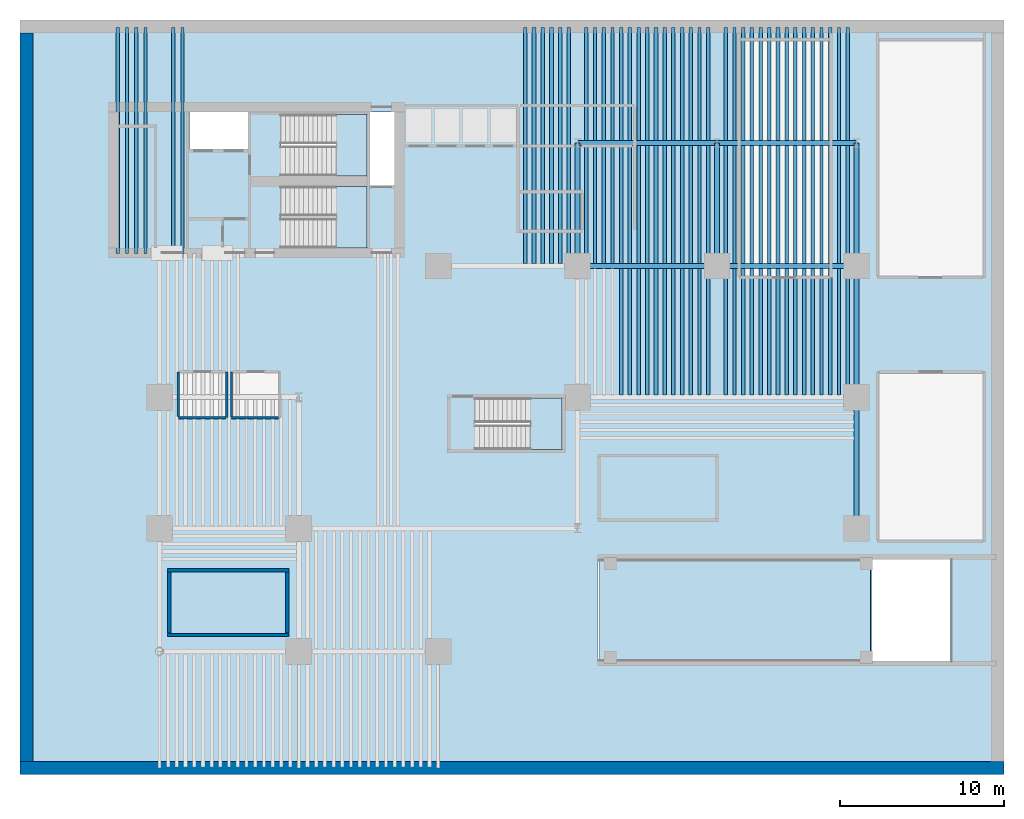
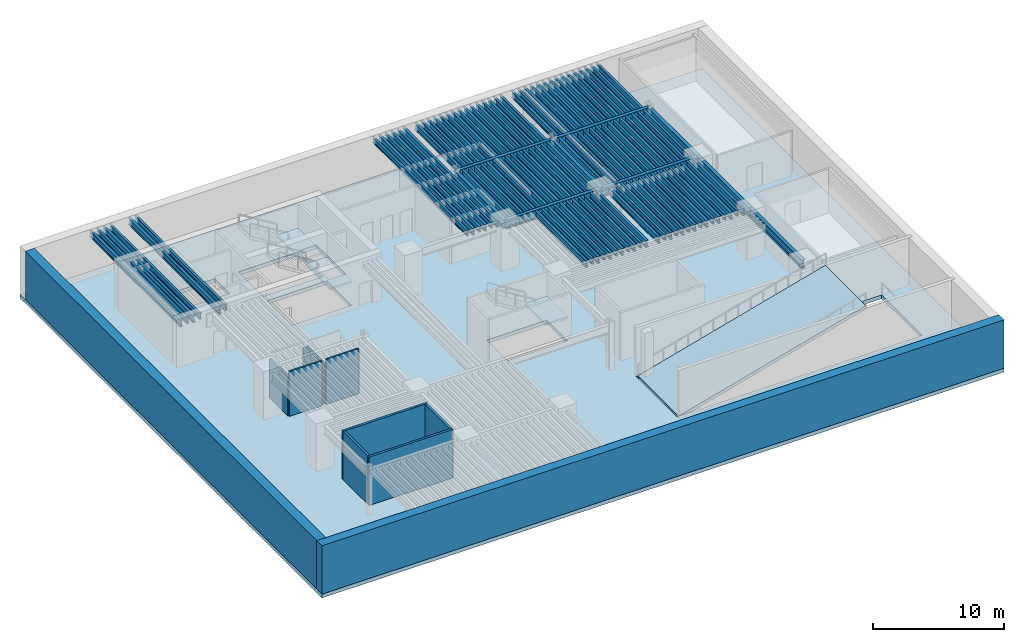
# One storey, part 2 of 10: 107 beams, 11 walls, 5 slabs, 3 elements without a shape of their own.
"""IFC4 building model written with IfcOpenShell, lengths in metres."""

from ifc_helpers import new_model, si_unit, direction, frame, frame_2d, origin, origin_2d, place, context, subcontext, project, spatial, polyline, rectangle, i_section, outline, extrude, material, layer, layer_set, material_profile, profile_set, type_object, element, aggregate, save


model = new_model("IFC4")

# Units and contexts
model_context = context("Model", 3, precision=1e-05, world=origin(), true_north=direction((0.0, 1.0)))
body_context = subcontext(model_context, "Body", "Model", "MODEL_VIEW")
ifc_project = project(units=[si_unit("LENGTHUNIT", "METRE"), si_unit("AREAUNIT", "SQUARE_METRE"), si_unit("VOLUMEUNIT", "CUBIC_METRE"), si_unit("PLANEANGLEUNIT", "RADIAN"), si_unit("MASSUNIT", "GRAM", prefix="KILO")], contexts=[model_context])

# Site, building, storey
site_placement = place(None, origin())
site = spatial("IfcSite", under=ifc_project, at=site_placement, CompositionType="ELEMENT")
building_placement = place(site_placement, origin())
building = spatial("IfcBuilding", under=site, at=building_placement, Name="Caeloran Harvest Quay", CompositionType="ELEMENT")
storey_placement = place(building_placement, frame((0.0, 0.0, -4.5)))
storey = spatial("IfcBuildingStorey", under=building, at=storey_placement, Name="B01", CompositionType="ELEMENT", Elevation=-4.5)

# Beams
ifc_material_1 = material(Name="Steel S355J2", Category="steel")
ifc_material_profile_1 = material_profile(ifc_material_1, i_section(OverallWidth=0.300048828125, OverallDepth=0.800048828125, WebThickness=0.017578125, FlangeThickness=0.032958984375, FilletRadius=0.030029296875, at=origin_2d()), Name="HE 800 B")
ifc_profile_set_1 = profile_set([ifc_material_profile_1], Name="Steel S355J2")
beam_type_1 = type_object("IfcBeamType", Name="BM-PG-1-HE_800_B", PredefinedType="BEAM", material=ifc_profile_set_1)
for number, where, z_axis, x_axis, name in (
    (1, (34.0, 31.0, 3.764892578125), (1.0, 0.0, 0.0), (0.0, 1.0, 0.0), "B01 Primary East-West Girder Y=31.0"),
    (2, (42.5, 31.0, 3.764892578125), (1.0, 0.0, 0.0), (0.0, 1.0, 0.0), "B01 Primary East-West Girder Y=31.0"),
    (3, (34.0, 38.5, 3.764892578125), (1.0, 0.0, 0.0), (0.0, 1.0, 0.0), "B01 Primary East-West Girder Y=38.5"),
    (4, (42.5, 38.5, 3.764892578125), (1.0, 0.0, 0.0), (0.0, 1.0, 0.0), "B01 Primary East-West Girder Y=38.5"),
):
    element("IfcBeam", number, at=place(storey_placement, frame(where, z_axis=z_axis, x_axis=x_axis)), inside=storey, type_object=beam_type_1, Name=name, PredefinedType="BEAM", context=body_context, shape_type="SweptSolid", body=[
        extrude(i_section(OverallWidth=0.300048828125, OverallDepth=0.800048828125, WebThickness=0.017578125, FlangeThickness=0.032958984375, FilletRadius=0.030029296875, at=origin_2d()), origin(), (0.0, 0.0, 1.0), 8.5),
    ])
for number, where, z_axis, x_axis, name in (
    (5, (34.0, 31.0, 3.764892578125), (0.0, 1.0, 0.0), (-1.0, 0.0, 0.0), "B01 Primary North-South Girder X=34.0"),
    (6, (42.5, 31.0, 3.764892578125), (0.0, 1.0, 0.0), (-1.0, 0.0, 0.0), "B01 Primary North-South Girder X=42.5"),
):
    element("IfcBeam", number, at=place(storey_placement, frame(where, z_axis=z_axis, x_axis=x_axis)), inside=storey, type_object=beam_type_1, Name=name, PredefinedType="BEAM", context=body_context, shape_type="SweptSolid", body=[
        extrude(i_section(OverallWidth=0.300048828125, OverallDepth=0.800048828125, WebThickness=0.017578125, FlangeThickness=0.032958984375, FilletRadius=0.030029296875, at=origin_2d()), origin(), (0.0, 0.0, 1.0), 7.5),
    ])
for number, where, z_axis, x_axis, name in (
    (7, (51.0, 15.0, 3.764892578125), (0.0, 1.0, 0.0), (-1.0, 0.0, 0.0), "B01 Primary North-South Girder X=51.0"),
    (8, (51.0, 23.0, 3.764892578125), (0.0, 1.0, 0.0), (-1.0, 0.0, 0.0), "B01 Primary North-South Girder X=51.0"),
):
    element("IfcBeam", number, at=place(storey_placement, frame(where, z_axis=z_axis, x_axis=x_axis)), inside=storey, type_object=beam_type_1, Name=name, PredefinedType="BEAM", context=body_context, shape_type="SweptSolid", body=[
        extrude(i_section(OverallWidth=0.300048828125, OverallDepth=0.800048828125, WebThickness=0.017578125, FlangeThickness=0.032958984375, FilletRadius=0.030029296875, at=origin_2d()), origin(), (0.0, 0.0, 1.0), 8.0),
    ])
beam_placement = place(storey_placement, frame((51.0, 31.0, 3.764892578125), z_axis=(0.0, 1.0, 0.0), x_axis=(-1.0, 0.0, 0.0)))
element("IfcBeam", 9, at=beam_placement, inside=storey, type_object=beam_type_1, Name="B01 Primary North-South Girder X=51.0", PredefinedType="BEAM", context=body_context, shape_type="SweptSolid", body=[
    extrude(i_section(OverallWidth=0.300048828125, OverallDepth=0.800048828125, WebThickness=0.017578125, FlangeThickness=0.032958984375, FilletRadius=0.030029296875, at=origin_2d()), origin(), (0.0, 0.0, 1.0), 7.5),
])
ifc_material_profile_2 = material_profile(ifc_material_1, i_section(OverallWidth=0.219970703125, OverallDepth=0.60009765625, WebThickness=0.011962890625, FlangeThickness=0.01904296875, FilletRadius=0.02392578125, at=origin_2d()), Name="IPE 600")
ifc_profile_set_2 = profile_set([ifc_material_profile_2], Name="Steel S355J2")
beam_type_2 = type_object("IfcBeamType", Name="BM-SB-1-IPE_600", PredefinedType="JOIST", material=ifc_profile_set_2)
for number, where, z_axis, x_axis, name in (
    (10, (34.53125, 38.64501953125, 3.864990234375), (0.0, 1.0, 0.0), (-1.0, 0.0, 0.0), "B01 Secondary Composite Joist"),
    (11, (35.59375, 38.64501953125, 3.864990234375), (0.0, 1.0, 0.0), (-1.0, 0.0, 0.0), "B01 Secondary Composite Joist"),
    (12, (36.65625, 38.64501953125, 3.864990234375), (0.0, 1.0, 0.0), (-1.0, 0.0, 0.0), "B01 Secondary Composite Joist"),
    (13, (37.71875, 38.64501953125, 3.864990234375), (0.0, 1.0, 0.0), (-1.0, 0.0, 0.0), "B01 Secondary Composite Joist"),
    (14, (38.78125, 38.64501953125, 3.864990234375), (0.0, 1.0, 0.0), (-1.0, 0.0, 0.0), "B01 Secondary Composite Joist"),
    (15, (39.84375, 38.64501953125, 3.864990234375), (0.0, 1.0, 0.0), (-1.0, 0.0, 0.0), "B01 Secondary Composite Joist"),
    (16, (40.90625, 38.64501953125, 3.864990234375), (0.0, 1.0, 0.0), (-1.0, 0.0, 0.0), "B01 Secondary Composite Joist"),
    (17, (41.96875, 38.64501953125, 3.864990234375), (0.0, 1.0, 0.0), (-1.0, 0.0, 0.0), "B01 Secondary Composite Joist"),
    (18, (43.03125, 38.64501953125, 3.864990234375), (0.0, 1.0, 0.0), (-1.0, 0.0, 0.0), "B01 Secondary Composite Joist"),
    (19, (44.09375, 38.64501953125, 3.864990234375), (0.0, 1.0, 0.0), (-1.0, 0.0, 0.0), "B01 Secondary Composite Joist"),
    (20, (45.15625, 38.64501953125, 3.864990234375), (0.0, 1.0, 0.0), (-1.0, 0.0, 0.0), "B01 Secondary Composite Joist"),
    (21, (46.21875, 38.64501953125, 3.864990234375), (0.0, 1.0, 0.0), (-1.0, 0.0, 0.0), "B01 Secondary Composite Joist"),
    (22, (47.28125, 38.64501953125, 3.864990234375), (0.0, 1.0, 0.0), (-1.0, 0.0, 0.0), "B01 Secondary Composite Joist"),
    (23, (48.34375, 38.64501953125, 3.864990234375), (0.0, 1.0, 0.0), (-1.0, 0.0, 0.0), "B01 Secondary Composite Joist"),
    (24, (49.40625, 38.64501953125, 3.864990234375), (0.0, 1.0, 0.0), (-1.0, 0.0, 0.0), "B01 Secondary Composite Joist"),
    (25, (50.46875, 38.64501953125, 3.864990234375), (0.0, 1.0, 0.0), (-1.0, 0.0, 0.0), "B01 Secondary Composite Joist"),
):
    element("IfcBeam", number, at=place(storey_placement, frame(where, z_axis=z_axis, x_axis=x_axis)), inside=storey, type_object=beam_type_2, Name=name, PredefinedType="JOIST", context=body_context, shape_type="SweptSolid", body=[
        extrude(i_section(OverallWidth=0.219970703125, OverallDepth=0.60009765625, WebThickness=0.011962890625, FlangeThickness=0.01904296875, FilletRadius=0.02392578125, at=origin_2d()), origin(), (0.0, 0.0, 1.0), 6.905029296875),
    ])
for number, where, z_axis, x_axis, name in (
    (26, (34.53125, 31.14501953125, 3.864990234375), (0.0, 1.0, 0.0), (-1.0, 0.0, 0.0), "B01 Secondary Composite Joist"),
    (27, (35.59375, 31.14501953125, 3.864990234375), (0.0, 1.0, 0.0), (-1.0, 0.0, 0.0), "B01 Secondary Composite Joist"),
    (28, (36.65625, 31.14501953125, 3.864990234375), (0.0, 1.0, 0.0), (-1.0, 0.0, 0.0), "B01 Secondary Composite Joist"),
    (29, (37.71875, 31.14501953125, 3.864990234375), (0.0, 1.0, 0.0), (-1.0, 0.0, 0.0), "B01 Secondary Composite Joist"),
    (30, (38.78125, 31.14501953125, 3.864990234375), (0.0, 1.0, 0.0), (-1.0, 0.0, 0.0), "B01 Secondary Composite Joist"),
    (31, (39.84375, 31.14501953125, 3.864990234375), (0.0, 1.0, 0.0), (-1.0, 0.0, 0.0), "B01 Secondary Composite Joist"),
    (32, (40.90625, 31.14501953125, 3.864990234375), (0.0, 1.0, 0.0), (-1.0, 0.0, 0.0), "B01 Secondary Composite Joist"),
    (33, (41.96875, 31.14501953125, 3.864990234375), (0.0, 1.0, 0.0), (-1.0, 0.0, 0.0), "B01 Secondary Composite Joist"),
    (34, (43.03125, 31.14501953125, 3.864990234375), (0.0, 1.0, 0.0), (-1.0, 0.0, 0.0), "B01 Secondary Composite Joist"),
    (35, (44.09375, 31.14501953125, 3.864990234375), (0.0, 1.0, 0.0), (-1.0, 0.0, 0.0), "B01 Secondary Composite Joist"),
    (36, (45.15625, 31.14501953125, 3.864990234375), (0.0, 1.0, 0.0), (-1.0, 0.0, 0.0), "B01 Secondary Composite Joist"),
    (37, (46.21875, 31.14501953125, 3.864990234375), (0.0, 1.0, 0.0), (-1.0, 0.0, 0.0), "B01 Secondary Composite Joist"),
    (38, (47.28125, 31.14501953125, 3.864990234375), (0.0, 1.0, 0.0), (-1.0, 0.0, 0.0), "B01 Secondary Composite Joist"),
    (39, (48.34375, 31.14501953125, 3.864990234375), (0.0, 1.0, 0.0), (-1.0, 0.0, 0.0), "B01 Secondary Composite Joist"),
    (40, (49.40625, 31.14501953125, 3.864990234375), (0.0, 1.0, 0.0), (-1.0, 0.0, 0.0), "B01 Secondary Composite Joist"),
    (41, (50.46875, 31.14501953125, 3.864990234375), (0.0, 1.0, 0.0), (-1.0, 0.0, 0.0), "B01 Secondary Composite Joist"),
):
    element("IfcBeam", number, at=place(storey_placement, frame(where, z_axis=z_axis, x_axis=x_axis)), inside=storey, type_object=beam_type_2, Name=name, PredefinedType="JOIST", context=body_context, shape_type="SweptSolid", body=[
        extrude(i_section(OverallWidth=0.219970703125, OverallDepth=0.60009765625, WebThickness=0.011962890625, FlangeThickness=0.01904296875, FilletRadius=0.02392578125, at=origin_2d()), origin(), (0.0, 0.0, 1.0), 7.2099609375),
    ])
for number, where, z_axis, x_axis, name in (
    (42, (36.65625, 23.14501953125, 3.864990234375), (0.0, 1.0, 0.0), (-1.0, 0.0, 0.0), "B01 Secondary Composite Joist"),
    (43, (37.71875, 23.14501953125, 3.864990234375), (0.0, 1.0, 0.0), (-1.0, 0.0, 0.0), "B01 Secondary Composite Joist"),
    (44, (38.78125, 23.14501953125, 3.864990234375), (0.0, 1.0, 0.0), (-1.0, 0.0, 0.0), "B01 Secondary Composite Joist"),
    (45, (39.84375, 23.14501953125, 3.864990234375), (0.0, 1.0, 0.0), (-1.0, 0.0, 0.0), "B01 Secondary Composite Joist"),
    (46, (40.90625, 23.14501953125, 3.864990234375), (0.0, 1.0, 0.0), (-1.0, 0.0, 0.0), "B01 Secondary Composite Joist"),
    (47, (41.96875, 23.14501953125, 3.864990234375), (0.0, 1.0, 0.0), (-1.0, 0.0, 0.0), "B01 Secondary Composite Joist"),
    (48, (43.03125, 23.14501953125, 3.864990234375), (0.0, 1.0, 0.0), (-1.0, 0.0, 0.0), "B01 Secondary Composite Joist"),
    (49, (44.09375, 23.14501953125, 3.864990234375), (0.0, 1.0, 0.0), (-1.0, 0.0, 0.0), "B01 Secondary Composite Joist"),
    (50, (45.15625, 23.14501953125, 3.864990234375), (0.0, 1.0, 0.0), (-1.0, 0.0, 0.0), "B01 Secondary Composite Joist"),
    (51, (46.21875, 23.14501953125, 3.864990234375), (0.0, 1.0, 0.0), (-1.0, 0.0, 0.0), "B01 Secondary Composite Joist"),
    (52, (47.28125, 23.14501953125, 3.864990234375), (0.0, 1.0, 0.0), (-1.0, 0.0, 0.0), "B01 Secondary Composite Joist"),
    (53, (48.34375, 23.14501953125, 3.864990234375), (0.0, 1.0, 0.0), (-1.0, 0.0, 0.0), "B01 Secondary Composite Joist"),
    (54, (49.40625, 23.14501953125, 3.864990234375), (0.0, 1.0, 0.0), (-1.0, 0.0, 0.0), "B01 Secondary Composite Joist"),
    (55, (50.46875, 23.14501953125, 3.864990234375), (0.0, 1.0, 0.0), (-1.0, 0.0, 0.0), "B01 Secondary Composite Joist"),
):
    element("IfcBeam", number, at=place(storey_placement, frame(where, z_axis=z_axis, x_axis=x_axis)), inside=storey, type_object=beam_type_2, Name=name, PredefinedType="JOIST", context=body_context, shape_type="SweptSolid", body=[
        extrude(i_section(OverallWidth=0.219970703125, OverallDepth=0.60009765625, WebThickness=0.011962890625, FlangeThickness=0.01904296875, FilletRadius=0.02392578125, at=origin_2d()), origin(), (0.0, 0.0, 1.0), 7.7099609375),
    ])
for number, where, z_axis, x_axis, name in (
    (56, (5.964111328125, 31.75, 3.864990234375), (0.0, 1.0, 0.0), (-1.0, 0.0, 0.0), "B01 Secondary Composite Joist"),
    (57, (7.09228515625, 31.75, 3.864990234375), (0.0, 1.0, 0.0), (-1.0, 0.0, 0.0), "B01 Secondary Composite Joist"),
    (58, (9.348388671875, 31.75, 3.864990234375), (0.0, 1.0, 0.0), (-1.0, 0.0, 0.0), "B01 Secondary Composite Joist"),
):
    element("IfcBeam", number, at=place(storey_placement, frame(where, z_axis=z_axis, x_axis=x_axis)), inside=storey, type_object=beam_type_2, Name=name, PredefinedType="JOIST", context=body_context, shape_type="SweptSolid", body=[
        extrude(i_section(OverallWidth=0.219970703125, OverallDepth=0.60009765625, WebThickness=0.011962890625, FlangeThickness=0.01904296875, FilletRadius=0.02392578125, at=origin_2d()), origin(), (0.0, 0.0, 1.0), 13.800048828125),
    ])
for number, where, z_axis, x_axis, name in (
    (59, (31.34375, 31.14501953125, 3.864990234375), (0.0, 1.0, 0.0), (-1.0, 0.0, 0.0), "B01 Secondary Composite Joist"),
    (60, (32.40625, 31.14501953125, 3.864990234375), (0.0, 1.0, 0.0), (-1.0, 0.0, 0.0), "B01 Secondary Composite Joist"),
    (61, (33.46875, 31.14501953125, 3.864990234375), (0.0, 1.0, 0.0), (-1.0, 0.0, 0.0), "B01 Secondary Composite Joist"),
):
    element("IfcBeam", number, at=place(storey_placement, frame(where, z_axis=z_axis, x_axis=x_axis)), inside=storey, type_object=beam_type_2, Name=name, PredefinedType="JOIST", context=body_context, shape_type="SweptSolid", body=[
        extrude(i_section(OverallWidth=0.219970703125, OverallDepth=0.60009765625, WebThickness=0.011962890625, FlangeThickness=0.01904296875, FilletRadius=0.02392578125, at=origin_2d()), origin(), (0.0, 0.0, 1.0), 14.405029296875),
    ])
ifc_material_profile_3 = material_profile(ifc_material_1, i_section(OverallWidth=0.199951171875, OverallDepth=0.5, WebThickness=0.01025390625, FlangeThickness=0.01611328125, FilletRadius=0.02099609375, at=origin_2d()), Name="IPE 500")
ifc_profile_set_3 = profile_set([ifc_material_profile_3], Name="Steel S355J2")
beam_type_3 = type_object("IfcBeamType", Name="BM-SB-2-IPE_500", PredefinedType="JOIST", material=ifc_profile_set_3)
for number, where, z_axis, x_axis, name in (
    (62, (35.0625, 38.64501953125, 3.9150390625), (0.0, 1.0, 0.0), (-1.0, 0.0, 0.0), "B01 Secondary Composite Joist"),
    (63, (36.125, 38.64501953125, 3.9150390625), (0.0, 1.0, 0.0), (-1.0, 0.0, 0.0), "B01 Secondary Composite Joist"),
    (64, (37.1875, 38.64501953125, 3.9150390625), (0.0, 1.0, 0.0), (-1.0, 0.0, 0.0), "B01 Secondary Composite Joist"),
    (65, (38.25, 38.64501953125, 3.9150390625), (0.0, 1.0, 0.0), (-1.0, 0.0, 0.0), "B01 Secondary Composite Joist"),
    (66, (39.3125, 38.64501953125, 3.9150390625), (0.0, 1.0, 0.0), (-1.0, 0.0, 0.0), "B01 Secondary Composite Joist"),
    (67, (40.375, 38.64501953125, 3.9150390625), (0.0, 1.0, 0.0), (-1.0, 0.0, 0.0), "B01 Secondary Composite Joist"),
    (68, (41.4375, 38.64501953125, 3.9150390625), (0.0, 1.0, 0.0), (-1.0, 0.0, 0.0), "B01 Secondary Composite Joist"),
    (69, (43.5625, 38.64501953125, 3.9150390625), (0.0, 1.0, 0.0), (-1.0, 0.0, 0.0), "B01 Secondary Composite Joist"),
    (70, (44.625, 38.64501953125, 3.9150390625), (0.0, 1.0, 0.0), (-1.0, 0.0, 0.0), "B01 Secondary Composite Joist"),
    (71, (45.6875, 38.64501953125, 3.9150390625), (0.0, 1.0, 0.0), (-1.0, 0.0, 0.0), "B01 Secondary Composite Joist"),
    (72, (46.75, 38.64501953125, 3.9150390625), (0.0, 1.0, 0.0), (-1.0, 0.0, 0.0), "B01 Secondary Composite Joist"),
    (73, (47.8125, 38.64501953125, 3.9150390625), (0.0, 1.0, 0.0), (-1.0, 0.0, 0.0), "B01 Secondary Composite Joist"),
    (74, (48.875, 38.64501953125, 3.9150390625), (0.0, 1.0, 0.0), (-1.0, 0.0, 0.0), "B01 Secondary Composite Joist"),
    (75, (49.9375, 38.64501953125, 3.9150390625), (0.0, 1.0, 0.0), (-1.0, 0.0, 0.0), "B01 Secondary Composite Joist"),
):
    element("IfcBeam", number, at=place(storey_placement, frame(where, z_axis=z_axis, x_axis=x_axis)), inside=storey, type_object=beam_type_3, Name=name, PredefinedType="JOIST", context=body_context, shape_type="SweptSolid", body=[
        extrude(i_section(OverallWidth=0.199951171875, OverallDepth=0.5, WebThickness=0.01025390625, FlangeThickness=0.01611328125, FilletRadius=0.02099609375, at=origin_2d()), origin(), (0.0, 0.0, 1.0), 6.905029296875),
    ])
for number, where, z_axis, x_axis, name in (
    (76, (35.0625, 31.14501953125, 3.9150390625), (0.0, 1.0, 0.0), (-1.0, 0.0, 0.0), "B01 Secondary Composite Joist"),
    (77, (36.125, 31.14501953125, 3.9150390625), (0.0, 1.0, 0.0), (-1.0, 0.0, 0.0), "B01 Secondary Composite Joist"),
    (78, (37.1875, 31.14501953125, 3.9150390625), (0.0, 1.0, 0.0), (-1.0, 0.0, 0.0), "B01 Secondary Composite Joist"),
    (79, (38.25, 31.14501953125, 3.9150390625), (0.0, 1.0, 0.0), (-1.0, 0.0, 0.0), "B01 Secondary Composite Joist"),
    (80, (39.3125, 31.14501953125, 3.9150390625), (0.0, 1.0, 0.0), (-1.0, 0.0, 0.0), "B01 Secondary Composite Joist"),
    (81, (40.375, 31.14501953125, 3.9150390625), (0.0, 1.0, 0.0), (-1.0, 0.0, 0.0), "B01 Secondary Composite Joist"),
    (82, (41.4375, 31.14501953125, 3.9150390625), (0.0, 1.0, 0.0), (-1.0, 0.0, 0.0), "B01 Secondary Composite Joist"),
    (83, (43.5625, 31.14501953125, 3.9150390625), (0.0, 1.0, 0.0), (-1.0, 0.0, 0.0), "B01 Secondary Composite Joist"),
    (84, (44.625, 31.14501953125, 3.9150390625), (0.0, 1.0, 0.0), (-1.0, 0.0, 0.0), "B01 Secondary Composite Joist"),
    (85, (45.6875, 31.14501953125, 3.9150390625), (0.0, 1.0, 0.0), (-1.0, 0.0, 0.0), "B01 Secondary Composite Joist"),
    (86, (46.75, 31.14501953125, 3.9150390625), (0.0, 1.0, 0.0), (-1.0, 0.0, 0.0), "B01 Secondary Composite Joist"),
    (87, (47.8125, 31.14501953125, 3.9150390625), (0.0, 1.0, 0.0), (-1.0, 0.0, 0.0), "B01 Secondary Composite Joist"),
    (88, (48.875, 31.14501953125, 3.9150390625), (0.0, 1.0, 0.0), (-1.0, 0.0, 0.0), "B01 Secondary Composite Joist"),
    (89, (49.9375, 31.14501953125, 3.9150390625), (0.0, 1.0, 0.0), (-1.0, 0.0, 0.0), "B01 Secondary Composite Joist"),
):
    element("IfcBeam", number, at=place(storey_placement, frame(where, z_axis=z_axis, x_axis=x_axis)), inside=storey, type_object=beam_type_3, Name=name, PredefinedType="JOIST", context=body_context, shape_type="SweptSolid", body=[
        extrude(i_section(OverallWidth=0.199951171875, OverallDepth=0.5, WebThickness=0.01025390625, FlangeThickness=0.01611328125, FilletRadius=0.02099609375, at=origin_2d()), origin(), (0.0, 0.0, 1.0), 7.2099609375),
    ])
for number, where, z_axis, x_axis, name in (
    (90, (37.1875, 23.14501953125, 3.9150390625), (0.0, 1.0, 0.0), (-1.0, 0.0, 0.0), "B01 Secondary Composite Joist"),
    (91, (38.25, 23.14501953125, 3.9150390625), (0.0, 1.0, 0.0), (-1.0, 0.0, 0.0), "B01 Secondary Composite Joist"),
    (92, (39.3125, 23.14501953125, 3.9150390625), (0.0, 1.0, 0.0), (-1.0, 0.0, 0.0), "B01 Secondary Composite Joist"),
    (93, (40.375, 23.14501953125, 3.9150390625), (0.0, 1.0, 0.0), (-1.0, 0.0, 0.0), "B01 Secondary Composite Joist"),
    (94, (41.4375, 23.14501953125, 3.9150390625), (0.0, 1.0, 0.0), (-1.0, 0.0, 0.0), "B01 Secondary Composite Joist"),
    (95, (43.5625, 23.14501953125, 3.9150390625), (0.0, 1.0, 0.0), (-1.0, 0.0, 0.0), "B01 Secondary Composite Joist"),
    (96, (44.625, 23.14501953125, 3.9150390625), (0.0, 1.0, 0.0), (-1.0, 0.0, 0.0), "B01 Secondary Composite Joist"),
    (97, (45.6875, 23.14501953125, 3.9150390625), (0.0, 1.0, 0.0), (-1.0, 0.0, 0.0), "B01 Secondary Composite Joist"),
    (98, (46.75, 23.14501953125, 3.9150390625), (0.0, 1.0, 0.0), (-1.0, 0.0, 0.0), "B01 Secondary Composite Joist"),
    (99, (47.8125, 23.14501953125, 3.9150390625), (0.0, 1.0, 0.0), (-1.0, 0.0, 0.0), "B01 Secondary Composite Joist"),
    (100, (48.875, 23.14501953125, 3.9150390625), (0.0, 1.0, 0.0), (-1.0, 0.0, 0.0), "B01 Secondary Composite Joist"),
    (101, (49.9375, 23.14501953125, 3.9150390625), (0.0, 1.0, 0.0), (-1.0, 0.0, 0.0), "B01 Secondary Composite Joist"),
):
    element("IfcBeam", number, at=place(storey_placement, frame(where, z_axis=z_axis, x_axis=x_axis)), inside=storey, type_object=beam_type_3, Name=name, PredefinedType="JOIST", context=body_context, shape_type="SweptSolid", body=[
        extrude(i_section(OverallWidth=0.199951171875, OverallDepth=0.5, WebThickness=0.01025390625, FlangeThickness=0.01611328125, FilletRadius=0.02099609375, at=origin_2d()), origin(), (0.0, 0.0, 1.0), 7.7099609375),
    ])
for number, where, z_axis, x_axis, name in (
    (102, (6.528076171875, 31.75, 3.9150390625), (0.0, 1.0, 0.0), (-1.0, 0.0, 0.0), "B01 Secondary Composite Joist"),
    (103, (7.65625, 31.75, 3.9150390625), (0.0, 1.0, 0.0), (-1.0, 0.0, 0.0), "B01 Secondary Composite Joist"),
    (104, (9.91259765625, 31.75, 3.9150390625), (0.0, 1.0, 0.0), (-1.0, 0.0, 0.0), "B01 Secondary Composite Joist"),
):
    element("IfcBeam", number, at=place(storey_placement, frame(where, z_axis=z_axis, x_axis=x_axis)), inside=storey, type_object=beam_type_3, Name=name, PredefinedType="JOIST", context=body_context, shape_type="SweptSolid", body=[
        extrude(i_section(OverallWidth=0.199951171875, OverallDepth=0.5, WebThickness=0.01025390625, FlangeThickness=0.01611328125, FilletRadius=0.02099609375, at=origin_2d()), origin(), (0.0, 0.0, 1.0), 13.800048828125),
    ])
for number, where, z_axis, x_axis, name in (
    (105, (30.8125, 31.14501953125, 3.9150390625), (0.0, 1.0, 0.0), (-1.0, 0.0, 0.0), "B01 Secondary Composite Joist"),
    (106, (31.875, 31.14501953125, 3.9150390625), (0.0, 1.0, 0.0), (-1.0, 0.0, 0.0), "B01 Secondary Composite Joist"),
    (107, (32.9375, 31.14501953125, 3.9150390625), (0.0, 1.0, 0.0), (-1.0, 0.0, 0.0), "B01 Secondary Composite Joist"),
):
    element("IfcBeam", number, at=place(storey_placement, frame(where, z_axis=z_axis, x_axis=x_axis)), inside=storey, type_object=beam_type_3, Name=name, PredefinedType="JOIST", context=body_context, shape_type="SweptSolid", body=[
        extrude(i_section(OverallWidth=0.199951171875, OverallDepth=0.5, WebThickness=0.01025390625, FlangeThickness=0.01611328125, FilletRadius=0.02099609375, at=origin_2d()), origin(), (0.0, 0.0, 1.0), 14.405029296875),
    ])

# Slabs
ifc_material_2 = material(Name="Concrete C50/60", Category="concrete")
ifc_layer_1 = layer(ifc_material_2, 0.35009765625, Name="Concrete C50/60")
ifc_layer_set_1 = layer_set([ifc_layer_1], Name="Concrete C50/60")
slab_type_1 = type_object("IfcSlabType", Name="SLAB-FS-350", PredefinedType="FLOOR", material=ifc_layer_set_1)
slab_1_placement = place(storey_placement, frame((0.0, 0.0, -0.35009765625)))
element("IfcSlab", 108, at=slab_1_placement, inside=storey, type_object=slab_type_1, Name="B01 Structural Floor Slab", PredefinedType="FLOOR", context=body_context, shape_type="SweptSolid", body=[
    extrude(outline(polyline([(0.0, 0.0), (60.0, 0.0), (60.0, 46.0), (0.0, 46.0), (0.0, 0.0)]), holes=[polyline([(56.800048828125, 13.10009765625), (56.800048828125, 6.89990234375), (35.199951171875, 6.89990234375), (35.199951171875, 13.10009765625), (56.800048828125, 13.10009765625)]), polyline([(27.75, 19.800048828125), (27.75, 22.949951171875), (33.050048828125, 22.949951171875), (33.050048828125, 19.800048828125), (27.75, 19.800048828125)]), polyline([(15.89990234375, 32.10009765625), (15.89990234375, 35.85009765625), (21.14990234375, 35.85009765625), (21.14990234375, 32.10009765625), (15.89990234375, 32.10009765625)]), polyline([(22.830078125, 40.3798828125), (22.830078125, 35.919921875), (21.35009765625, 35.919921875), (21.35009765625, 40.3798828125), (22.830078125, 40.3798828125)]), polyline([(15.89990234375, 36.5), (15.89990234375, 40.25), (21.14990234375, 40.25), (21.14990234375, 36.5), (15.89990234375, 36.5)]), polyline([(13.89990234375, 38.1201171875), (10.320068359375, 38.1201171875), (10.320068359375, 40.3798828125), (13.89990234375, 40.3798828125), (13.89990234375, 38.1201171875)])]), origin(), (0.0, 0.0, 1.0), 0.35009765625),
])
ifc_layer_2 = layer(ifc_material_2, 0.300048828125, Name="Concrete C50/60")
ifc_layer_set_2 = layer_set([ifc_layer_2], Name="Concrete C50/60")
slab_type_2 = type_object("IfcSlabType", Name="SLAB-VR-300", PredefinedType="FLOOR", material=ifc_layer_set_2)
slab_2_placement = place(storey_placement, frame((35.35009765625, 6.89990234375, 0.0), z_axis=(-0.263117405792, 0.0, 0.964763821238), x_axis=(0.964763821238, 0.0, 0.263117405792)))
element("IfcSlab", 109, at=slab_2_placement, inside=storey, type_object=slab_type_2, Name="Car Park Vehicle Ramp Structural Slab VR-1 (B01)", PredefinedType="FLOOR", context=body_context, shape_type="SweptSolid", body=[
    extrude(outline(polyline([(0.0, 0.0), (17.10263137648707, 0.0), (17.10263137648707, 6.2001953125), (0.0, 6.2001953125), (0.0, 0.0)])), origin(), (0.0, 0.0, -1.0), 0.300048828125),
])

# Stair, slab
stair_type_1 = type_object("IfcStairType", Name="STAIR-STC-180", PredefinedType="HALF_TURN_STAIR", material=ifc_material_2)
stair_1_placement = place(storey_placement, origin())
stair_1 = element("IfcStair", 110, at=stair_1_placement, inside=storey, type_object=stair_type_1, Name="B01 Core Pressurized Exit Stair ST-C1", PredefinedType="HALF_TURN_STAIR")
ifc_layer_3 = layer(ifc_material_2, 0.219970703125, Name="Concrete C50/60")
ifc_layer_set_3 = layer_set([ifc_layer_3], Name="Concrete C50/60")
slab_type_3 = type_object("IfcSlabType", Name="STAIR-LANDING-220", PredefinedType="LANDING", material=ifc_layer_set_3)
slab_3_placement = place(storey_placement, frame((0.0, 0.0, 2.050048828125)))
slab_3 = element("IfcSlab", 111, at=slab_3_placement, type_object=slab_type_3, Name="ST-C1 landing 1", PredefinedType="LANDING", context=body_context, shape_type="SweptSolid", body=[
    extrude(outline(polyline([(19.260009765625, 36.5), (21.14990234375, 36.5), (21.14990234375, 40.25), (19.260009765625, 40.25), (19.260009765625, 36.5)])), origin(), (0.0, 0.0, 1.0), 0.199951171875),
])
aggregate(stair_1, [slab_3])

stair_2_placement = place(storey_placement, origin())
stair_2 = element("IfcStair", 112, at=stair_2_placement, inside=storey, type_object=stair_type_1, Name="B01 Core Pressurized Exit Stair ST-C2", PredefinedType="HALF_TURN_STAIR")
slab_4_placement = place(storey_placement, frame((0.0, 0.0, 2.050048828125)))
slab_4 = element("IfcSlab", 113, at=slab_4_placement, type_object=slab_type_3, Name="ST-C2 landing 1", PredefinedType="LANDING", context=body_context, shape_type="SweptSolid", body=[
    extrude(outline(polyline([(19.260009765625, 32.10009765625), (21.14990234375, 32.10009765625), (21.14990234375, 35.85009765625), (19.260009765625, 35.85009765625), (19.260009765625, 32.10009765625)])), origin(), (0.0, 0.0, 1.0), 0.199951171875),
])
aggregate(stair_2, [slab_4])

stair_type_2 = type_object("IfcStairType", Name="STAIR-STW-150", PredefinedType="HALF_TURN_STAIR", material=ifc_material_2)
stair_3_placement = place(storey_placement, origin())
stair_3 = element("IfcStair", 114, at=stair_3_placement, inside=storey, type_object=stair_type_2, Name="B01 East Wing Protected Exit Stair ST-W1", PredefinedType="HALF_TURN_STAIR")
slab_5_placement = place(storey_placement, frame((0.0, 0.0, 2.050048828125)))
slab_5 = element("IfcSlab", 115, at=slab_5_placement, type_object=slab_type_3, Name="ST-W1 landing 1", PredefinedType="LANDING", context=body_context, shape_type="SweptSolid", body=[
    extrude(outline(polyline([(31.110107421875, 19.800048828125), (33.050048828125, 19.800048828125), (33.050048828125, 22.949951171875), (31.110107421875, 22.949951171875), (31.110107421875, 19.800048828125)])), origin(), (0.0, 0.0, 1.0), 0.199951171875),
])
aggregate(stair_3, [slab_5])

# Walls
ifc_material_3 = material(Name="Moisture-Resistant Cement-Board Sanitary Partition", Category="gypsum")
ifc_layer_4 = layer(ifc_material_3, 0.139892578125, Name="Moisture-Resistant Cement-Board Sanitary Partition")
ifc_layer_set_4 = layer_set([ifc_layer_4], Name="Moisture-Resistant Cement-Board Sanitary Partition")
wall_type_1 = type_object("IfcWallType", Name="INT-WALL-PW-140", PredefinedType="PARTITIONING", material=ifc_layer_set_4)
wall_1_placement = place(storey_placement, frame((12.60009765625, 24.550048828125, 0.0), z_axis=(0.0, 0.0, 1.0), x_axis=(0.0, -1.0, 0.0)))
element("IfcWall", 116, at=wall_1_placement, inside=storey, type_object=wall_type_1, Name="B01 Car Park Male Washroom WC Partition Wall", PredefinedType="PARTITIONING", context=body_context, shape_type="SweptSolid", body=[
    extrude(rectangle(XDim=2.800048828125, YDim=0.139892578125, at=frame_2d((1.39990234375, 0.0))), origin(), (0.0, 0.0, 1.0), 3.64990234375),
])
wall_2_placement = place(storey_placement, frame((12.52490234375, 21.75, 0.0), z_axis=(0.0, 0.0, 1.0), x_axis=(-1.0, 0.0, 0.0)))
element("IfcWall", 117, at=wall_2_placement, inside=storey, type_object=wall_type_1, Name="B01 Car Park Male Washroom WC Partition Wall", PredefinedType="PARTITIONING", context=body_context, shape_type="SweptSolid", body=[
    extrude(rectangle(XDim=2.875, YDim=0.139892578125, at=frame_2d((1.4375, 0.0))), origin(), (0.0, 0.0, 1.0), 4.1650390625),
])
wall_3_placement = place(storey_placement, frame((9.64990234375, 21.824951171875, 0.0), z_axis=(0.0, 0.0, 1.0), x_axis=(0.0, 1.0, 0.0)))
element("IfcWall", 118, at=wall_3_placement, inside=storey, type_object=wall_type_1, Name="B01 Car Park Male Washroom WC Partition Wall", PredefinedType="PARTITIONING", context=body_context, shape_type="SweptSolid", body=[
    extrude(rectangle(XDim=2.72509765625, YDim=0.139892578125, at=frame_2d((1.362548828125, 0.0))), origin(), (0.0, 0.0, 1.0), 3.64990234375),
])
wall_4_placement = place(storey_placement, frame((15.77490234375, 21.75, 0.0), z_axis=(0.0, 0.0, 1.0), x_axis=(-1.0, 0.0, 0.0)))
element("IfcWall", 119, at=wall_4_placement, inside=storey, type_object=wall_type_1, Name="B01 Accessible Unisex Washroom WC Partition Wall", PredefinedType="PARTITIONING", context=body_context, shape_type="SweptSolid", body=[
    extrude(rectangle(XDim=2.875, YDim=0.139892578125, at=frame_2d((1.4375, 0.0))), origin(), (0.0, 0.0, 1.0), 4.1650390625),
])
wall_5_placement = place(storey_placement, frame((12.89990234375, 21.824951171875, 0.0), z_axis=(0.0, 0.0, 1.0), x_axis=(0.0, 1.0, 0.0)))
element("IfcWall", 120, at=wall_5_placement, inside=storey, type_object=wall_type_1, Name="B01 Accessible Unisex Washroom WC Partition Wall", PredefinedType="PARTITIONING", context=body_context, shape_type="SweptSolid", body=[
    extrude(rectangle(XDim=2.72509765625, YDim=0.139892578125, at=frame_2d((1.362548828125, 0.0))), origin(), (0.0, 0.0, 1.0), 3.64990234375),
])
ifc_material_4 = material(Name="Concrete C60/75", Category="concrete")
ifc_layer_5 = layer(ifc_material_4, 0.800048828125, Name="Concrete C60/75")
ifc_layer_set_5 = layer_set([ifc_layer_5], Name="Concrete C60/75")
wall_type_2 = type_object("IfcWallType", Name="STR-WALL-DW-800", PredefinedType="USERDEFINED", material=ifc_layer_set_5)
wall_6_placement = place(storey_placement, frame((0.0, 0.39990234375, 0.0), z_axis=(0.0, 0.0, 1.0), x_axis=(1.0, 0.0, 0.0)))
element("IfcWall", 121, at=wall_6_placement, inside=storey, type_object=wall_type_2, Name="B01 Basement Diaphragm Retaining Wall S 800 mm", ObjectType="RETAININGWALL", PredefinedType="USERDEFINED", context=body_context, shape_type="SweptSolid", body=[
    extrude(rectangle(XDim=60.0, YDim=0.800048828125, at=frame_2d((30.0, 0.0))), origin(), (0.0, 0.0, 1.0), 4.5),
])
wall_7_placement = place(storey_placement, frame((0.39990234375, 0.800048828125, 0.0), z_axis=(0.0, 0.0, 1.0), x_axis=(0.0, 1.0, 0.0)))
element("IfcWall", 122, at=wall_7_placement, inside=storey, type_object=wall_type_2, Name="B01 Basement Diaphragm Retaining Wall W 800 mm", ObjectType="RETAININGWALL", PredefinedType="USERDEFINED", context=body_context, shape_type="SweptSolid", body=[
    extrude(rectangle(XDim=44.39990234375, YDim=0.800048828125, at=frame_2d((22.199951171875, 0.0))), origin(), (0.0, 0.0, 1.0), 4.5),
])
ifc_layer_6 = layer(ifc_material_4, 0.199951171875, Name="Concrete C60/75")
ifc_layer_set_6 = layer_set([ifc_layer_6], Name="Concrete C60/75")
wall_type_3 = type_object("IfcWallType", Name="STR-WALL-SW-200", PredefinedType="SHEAR", material=ifc_layer_set_6)
for number, where, z_axis, x_axis, name in (
    (123, (9.0, 8.5, 0.0), (0.0, 0.0, 1.0), (1.0, 0.0, 0.0), "B01 Stair ST-P1 S RC Shaft Shear Wall"),
    (124, (9.0, 12.449951171875, 0.0), (0.0, 0.0, 1.0), (1.0, 0.0, 0.0), "B01 Stair ST-P1 N RC Shaft Shear Wall"),
):
    element("IfcWall", number, at=place(storey_placement, frame(where, z_axis=z_axis, x_axis=x_axis)), inside=storey, type_object=wall_type_3, Name=name, PredefinedType="SHEAR", context=body_context, shape_type="SweptSolid", body=[
        extrude(rectangle(XDim=7.39990234375, YDim=0.199951171875, at=frame_2d((3.699951171875, 0.0))), origin(), (0.0, 0.0, 1.0), 4.5),
    ])
for number, where, z_axis, x_axis, name in (
    (125, (9.10009765625, 8.610107421875, 0.0), (0.0, 0.0, 1.0), (0.0, 1.0, 0.0), "B01 Stair ST-P1 W RC Shaft Shear Wall"),
    (126, (16.300048828125, 8.610107421875, 0.0), (0.0, 0.0, 1.0), (0.0, 1.0, 0.0), "B01 Stair ST-P1 E RC Shaft Shear Wall"),
):
    element("IfcWall", number, at=place(storey_placement, frame(where, z_axis=z_axis, x_axis=x_axis)), inside=storey, type_object=wall_type_3, Name=name, PredefinedType="SHEAR", context=body_context, shape_type="SweptSolid", body=[
        extrude(rectangle(XDim=3.72998046875, YDim=0.199951171875, at=frame_2d((1.864990234375, 0.0))), origin(), (0.0, 0.0, 1.0), 4.5),
    ])

save(model, "model.ifc")
